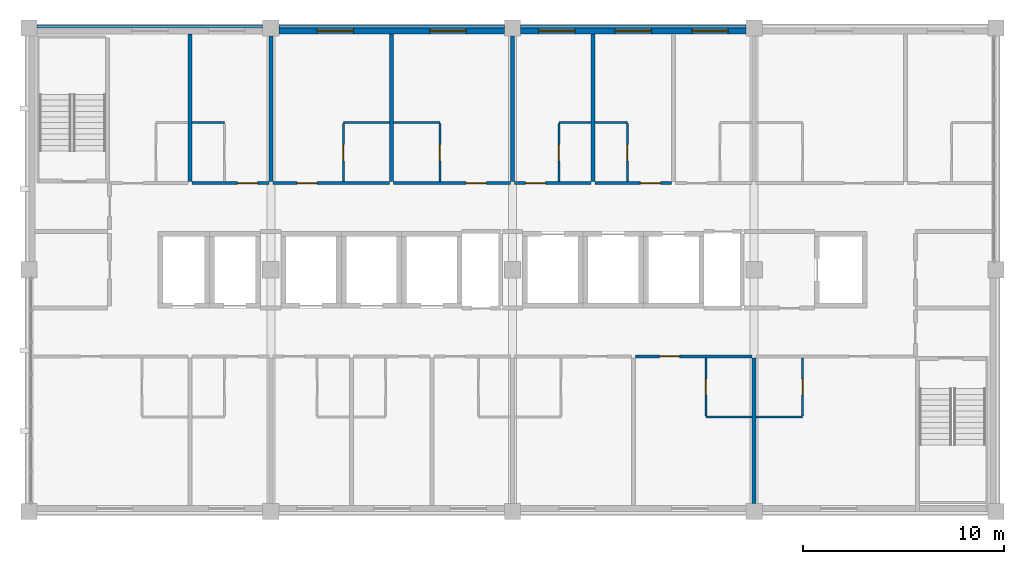
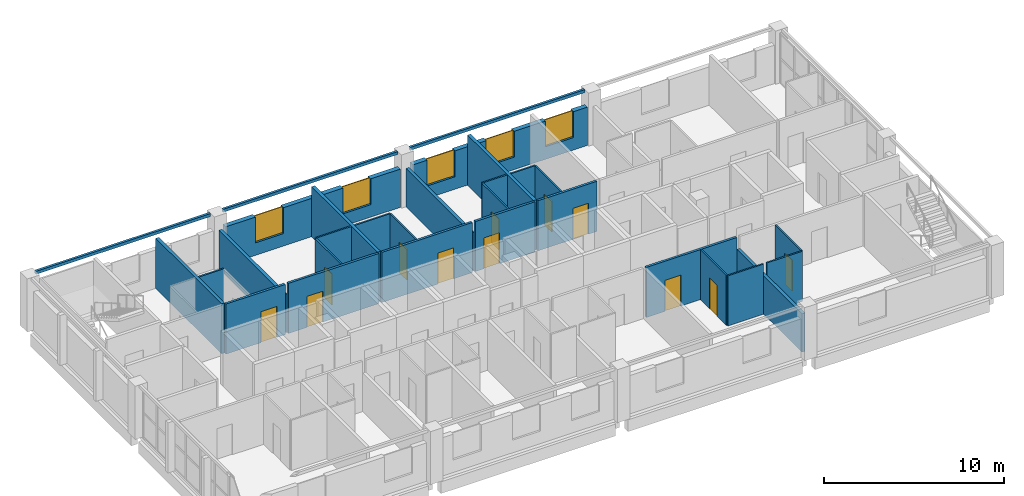
# One storey, part 8 of 11: 30 walls, 12 doors, 5 windows, 17 openings.
"""IFC4 building model written with IfcOpenShell, lengths in metres."""

from ifc_helpers import new_model, si_unit, direction, frame, frame_2d, origin, place, context, subcontext, project, spatial, rectangle, extrude, material, layer, layer_set, type_object, element, fill, save


model = new_model("IFC4")

# Units and contexts
model_context = context("Model", 3, precision=1e-05, world=origin(), true_north=direction((0.0, 1.0)))
body_context = subcontext(model_context, "Body", "Model", "MODEL_VIEW")
ifc_project = project(units=[si_unit("LENGTHUNIT", "METRE"), si_unit("AREAUNIT", "SQUARE_METRE"), si_unit("VOLUMEUNIT", "CUBIC_METRE"), si_unit("PLANEANGLEUNIT", "RADIAN"), si_unit("MASSUNIT", "GRAM", prefix="KILO")], contexts=[model_context])

# Site, building, storey
site_placement = place(None, origin())
site = spatial("IfcSite", under=ifc_project, at=site_placement, CompositionType="ELEMENT")
building_placement = place(site_placement, origin())
building = spatial("IfcBuilding", under=site, at=building_placement, Name="Lilac Gate Convention Centre", CompositionType="ELEMENT")
storey_placement = place(building_placement, frame((0.0, 0.0, 42.60009765625)))
storey = spatial("IfcBuildingStorey", under=building, at=storey_placement, Name="L10", CompositionType="ELEMENT", Elevation=42.60009765625)

# Wall, opening, door
ifc_material_1 = material(Name="Gypsum board on steel stud", Category="steel")
ifc_layer_1 = layer(ifc_material_1, 0.14990234375)
ifc_layer_set_1 = layer_set([ifc_layer_1], Name="Gypsum board on steel stud")
wall_type_1 = type_object("IfcWallType", Name="Corridor wall 150", PredefinedType="PARTITIONING", material=ifc_layer_set_1)
wall_1_placement = place(storey_placement, frame((77.89990234375, 229.699951171875, 0.0), z_axis=(0.0, 0.0, 1.0), x_axis=(-1.0, 0.0, 0.0)))
wall_1 = element("IfcWall", 1, at=wall_1_placement, inside=storey, type_object=wall_type_1, Name="Corridor wall 150 front 1007", PredefinedType="PARTITIONING", context=body_context, shape_type="SweptSolid", body=[
    extrude(rectangle(XDim=5.7998046875, YDim=0.14990234375, at=frame_2d((2.89990234375, 0.0))), origin(), (0.0, 0.0, 1.0), 3.39990234375),
])
opening_1_placement = place(wall_1_placement, frame((3.60009765625, 0.0, 0.0)))
opening_1 = element("IfcOpeningElement", 2, at=opening_1_placement, cuts=wall_1, Name="Opening T10-020", PredefinedType="OPENING", context=body_context, shape_type="SweptSolid", body=[
    extrude(rectangle(XDim=1.0, YDim=2.10009765625, at=frame_2d((0.5, 1.050048828125))), frame((0.0, 0.0849609375, 0.0), z_axis=(0.0, -1.0, 0.0), x_axis=(1.0, 0.0, 0.0)), (0.0, 0.0, 1.0), 0.169921875),
])
ifc_material_2 = material(Name="Timber", Category="wood")
door_type_1 = type_object("IfcDoorType", Name="Guest room entrance door 1000", OperationType="SINGLE_SWING_LEFT", PredefinedType="DOOR", material=ifc_material_2)
door_1_placement = place(opening_1_placement, origin())
door_1 = element("IfcDoor", 3, at=door_1_placement, inside=storey, type_object=door_type_1, Name="Guest room door 1007", OperationType="SINGLE_SWING_LEFT", OverallHeight=2.10009765625, OverallWidth=1.0, PredefinedType="DOOR", context=body_context, shape_type="SweptSolid", body=[
    extrude(rectangle(XDim=1.0, YDim=2.10009765625, at=frame_2d((0.5, 1.050048828125))), frame((0.0, 0.02490234375, 0.0), z_axis=(0.0, -1.0, 0.0), x_axis=(1.0, 0.0, 0.0)), (0.0, 0.0, 1.0), 0.050048828125),
])
fill(opening_1, door_1)

wall_2_placement = place(storey_placement, frame((50.10009765625, 238.300048828125, 0.0), z_axis=(0.0, 0.0, 1.0), x_axis=(1.0, 0.0, 0.0)))
wall_2 = element("IfcWall", 4, at=wall_2_placement, inside=storey, type_object=wall_type_1, Name="Corridor wall 150 front 1010", PredefinedType="PARTITIONING", context=body_context, shape_type="SweptSolid", body=[
    extrude(rectangle(XDim=3.7998046875, YDim=0.14990234375, at=frame_2d((1.89990234375, 0.0))), origin(), (0.0, 0.0, 1.0), 3.39990234375),
])
opening_2_placement = place(wall_2_placement, frame((2.25, 0.0, 0.0)))
opening_2 = element("IfcOpeningElement", 5, at=opening_2_placement, cuts=wall_2, Name="Opening T10-026", PredefinedType="OPENING", context=body_context, shape_type="SweptSolid", body=[
    extrude(rectangle(XDim=1.0, YDim=2.10009765625, at=frame_2d((0.5, 1.050048828125))), frame((0.0, 0.0849609375, 0.0), z_axis=(0.0, -1.0, 0.0), x_axis=(1.0, 0.0, 0.0)), (0.0, 0.0, 1.0), 0.169921875),
])
door_2_placement = place(opening_2_placement, origin())
door_2 = element("IfcDoor", 6, at=door_2_placement, inside=storey, type_object=door_type_1, Name="Guest room door 1010", OperationType="SINGLE_SWING_RIGHT", OverallHeight=2.10009765625, OverallWidth=1.0, PredefinedType="DOOR", context=body_context, shape_type="SweptSolid", body=[
    extrude(rectangle(XDim=1.0, YDim=2.10009765625, at=frame_2d((0.5, 1.050048828125))), frame((0.0, 0.02490234375, 0.0), z_axis=(0.0, -1.0, 0.0), x_axis=(1.0, 0.0, 0.0)), (0.0, 0.0, 1.0), 0.050048828125),
])
fill(opening_2, door_2)

wall_3_placement = place(storey_placement, frame((54.10009765625, 238.300048828125, 0.0), z_axis=(0.0, 0.0, 1.0), x_axis=(1.0, 0.0, 0.0)))
wall_3 = element("IfcWall", 7, at=wall_3_placement, inside=storey, type_object=wall_type_1, Name="Corridor wall 150 front 1011", PredefinedType="PARTITIONING", context=body_context, shape_type="SweptSolid", body=[
    extrude(rectangle(XDim=5.7998046875, YDim=0.14990234375, at=frame_2d((2.89990234375, 0.0))), origin(), (0.0, 0.0, 1.0), 3.39990234375),
])
opening_3_placement = place(wall_3_placement, frame((1.199951171875, 0.0, 0.0)))
opening_3 = element("IfcOpeningElement", 8, at=opening_3_placement, cuts=wall_3, Name="Opening T10-028", PredefinedType="OPENING", context=body_context, shape_type="SweptSolid", body=[
    extrude(rectangle(XDim=1.0, YDim=2.10009765625, at=frame_2d((0.5, 1.050048828125))), frame((0.0, 0.0849609375, 0.0), z_axis=(0.0, -1.0, 0.0), x_axis=(1.0, 0.0, 0.0)), (0.0, 0.0, 1.0), 0.169921875),
])
door_3_placement = place(opening_3_placement, origin())
door_3 = element("IfcDoor", 9, at=door_3_placement, inside=storey, type_object=door_type_1, Name="Guest room door 1011", OperationType="SINGLE_SWING_LEFT", OverallHeight=2.10009765625, OverallWidth=1.0, PredefinedType="DOOR", context=body_context, shape_type="SweptSolid", body=[
    extrude(rectangle(XDim=1.0, YDim=2.10009765625, at=frame_2d((0.5, 1.050048828125))), frame((0.0, 0.02490234375, 0.0), z_axis=(0.0, -1.0, 0.0), x_axis=(1.0, 0.0, 0.0)), (0.0, 0.0, 1.0), 0.050048828125),
])
fill(opening_3, door_3)

wall_4_placement = place(storey_placement, frame((60.10009765625, 238.300048828125, 0.0), z_axis=(0.0, 0.0, 1.0), x_axis=(1.0, 0.0, 0.0)))
wall_4 = element("IfcWall", 10, at=wall_4_placement, inside=storey, type_object=wall_type_1, Name="Corridor wall 150 front 1012", PredefinedType="PARTITIONING", context=body_context, shape_type="SweptSolid", body=[
    extrude(rectangle(XDim=5.7998046875, YDim=0.14990234375, at=frame_2d((2.89990234375, 0.0))), origin(), (0.0, 0.0, 1.0), 3.39990234375),
])
opening_4_placement = place(wall_4_placement, frame((3.60009765625, 0.0, 0.0)))
opening_4 = element("IfcOpeningElement", 11, at=opening_4_placement, cuts=wall_4, Name="Opening T10-030", PredefinedType="OPENING", context=body_context, shape_type="SweptSolid", body=[
    extrude(rectangle(XDim=1.0, YDim=2.10009765625, at=frame_2d((0.5, 1.050048828125))), frame((0.0, 0.0849609375, 0.0), z_axis=(0.0, -1.0, 0.0), x_axis=(1.0, 0.0, 0.0)), (0.0, 0.0, 1.0), 0.169921875),
])
door_4_placement = place(opening_4_placement, origin())
door_4 = element("IfcDoor", 12, at=door_4_placement, inside=storey, type_object=door_type_1, Name="Guest room door 1012", OperationType="SINGLE_SWING_RIGHT", OverallHeight=2.10009765625, OverallWidth=1.0, PredefinedType="DOOR", context=body_context, shape_type="SweptSolid", body=[
    extrude(rectangle(XDim=1.0, YDim=2.10009765625, at=frame_2d((0.5, 1.050048828125))), frame((0.0, 0.02490234375, 0.0), z_axis=(0.0, -1.0, 0.0), x_axis=(1.0, 0.0, 0.0)), (0.0, 0.0, 1.0), 0.050048828125),
])
fill(opening_4, door_4)

wall_5_placement = place(storey_placement, frame((66.10009765625, 238.300048828125, 0.0), z_axis=(0.0, 0.0, 1.0), x_axis=(1.0, 0.0, 0.0)))
wall_5 = element("IfcWall", 13, at=wall_5_placement, inside=storey, type_object=wall_type_1, Name="Corridor wall 150 front 1013", PredefinedType="PARTITIONING", context=body_context, shape_type="SweptSolid", body=[
    extrude(rectangle(XDim=3.7998046875, YDim=0.14990234375, at=frame_2d((1.89990234375, 0.0))), origin(), (0.0, 0.0, 1.0), 3.39990234375),
])
opening_5_placement = place(wall_5_placement, frame((0.550048828125, 0.0, 0.0)))
opening_5 = element("IfcOpeningElement", 14, at=opening_5_placement, cuts=wall_5, Name="Opening T10-032", PredefinedType="OPENING", context=body_context, shape_type="SweptSolid", body=[
    extrude(rectangle(XDim=1.0, YDim=2.10009765625, at=frame_2d((0.5, 1.050048828125))), frame((0.0, 0.0849609375, 0.0), z_axis=(0.0, -1.0, 0.0), x_axis=(1.0, 0.0, 0.0)), (0.0, 0.0, 1.0), 0.169921875),
])
door_5_placement = place(opening_5_placement, origin())
door_5 = element("IfcDoor", 15, at=door_5_placement, inside=storey, type_object=door_type_1, Name="Guest room door 1013", OperationType="SINGLE_SWING_LEFT", OverallHeight=2.10009765625, OverallWidth=1.0, PredefinedType="DOOR", context=body_context, shape_type="SweptSolid", body=[
    extrude(rectangle(XDim=1.0, YDim=2.10009765625, at=frame_2d((0.5, 1.050048828125))), frame((0.0, 0.02490234375, 0.0), z_axis=(0.0, -1.0, 0.0), x_axis=(1.0, 0.0, 0.0)), (0.0, 0.0, 1.0), 0.050048828125),
])
fill(opening_5, door_5)

wall_6_placement = place(storey_placement, frame((70.10009765625, 238.300048828125, 0.0), z_axis=(0.0, 0.0, 1.0), x_axis=(1.0, 0.0, 0.0)))
wall_6 = element("IfcWall", 16, at=wall_6_placement, inside=storey, type_object=wall_type_1, Name="Corridor wall 150 front 1014", PredefinedType="PARTITIONING", context=body_context, shape_type="SweptSolid", body=[
    extrude(rectangle(XDim=3.7998046875, YDim=0.14990234375, at=frame_2d((1.89990234375, 0.0))), origin(), (0.0, 0.0, 1.0), 3.39990234375),
])
opening_6_placement = place(wall_6_placement, frame((2.25, 0.0, 0.0)))
opening_6 = element("IfcOpeningElement", 17, at=opening_6_placement, cuts=wall_6, Name="Opening T10-034", PredefinedType="OPENING", context=body_context, shape_type="SweptSolid", body=[
    extrude(rectangle(XDim=1.0, YDim=2.10009765625, at=frame_2d((0.5, 1.050048828125))), frame((0.0, 0.0849609375, 0.0), z_axis=(0.0, -1.0, 0.0), x_axis=(1.0, 0.0, 0.0)), (0.0, 0.0, 1.0), 0.169921875),
])
door_6_placement = place(opening_6_placement, origin())
door_6 = element("IfcDoor", 18, at=door_6_placement, inside=storey, type_object=door_type_1, Name="Guest room door 1014", OperationType="SINGLE_SWING_LEFT", OverallHeight=2.10009765625, OverallWidth=1.0, PredefinedType="DOOR", context=body_context, shape_type="SweptSolid", body=[
    extrude(rectangle(XDim=1.0, YDim=2.10009765625, at=frame_2d((0.5, 1.050048828125))), frame((0.0, 0.02490234375, 0.0), z_axis=(0.0, -1.0, 0.0), x_axis=(1.0, 0.0, 0.0)), (0.0, 0.0, 1.0), 0.050048828125),
])
fill(opening_6, door_6)

# Wall
ifc_layer_2 = layer(ifc_material_1, 0.10009765625)
ifc_layer_set_2 = layer_set([ifc_layer_2], Name="Gypsum board on steel stud")
wall_type_2 = type_object("IfcWallType", Name="En-suite wall 100", PredefinedType="PARTITIONING", material=ifc_layer_set_2)
wall_7_placement = place(storey_placement, frame((75.60009765625, 226.699951171875, 0.0), z_axis=(0.0, 0.0, 1.0), x_axis=(1.0, 0.0, 0.0)))
element("IfcWall", 19, at=wall_7_placement, inside=storey, type_object=wall_type_2, Name="En-suite wall 100 bath 1007", PredefinedType="PARTITIONING", context=body_context, shape_type="SweptSolid", body=[
    extrude(rectangle(XDim=2.2998046875, YDim=0.10009765625, at=frame_2d((1.14990234375, 0.0))), origin(), (0.0, 0.0, 1.0), 3.39990234375),
])

# Wall, opening, door
wall_8_placement = place(storey_placement, frame((75.60009765625, 226.75, 0.0), z_axis=(0.0, 0.0, 1.0), x_axis=(0.0, 1.0, 0.0)))
wall_8 = element("IfcWall", 20, at=wall_8_placement, inside=storey, type_object=wall_type_2, Name="En-suite wall 100 bath side 1007", PredefinedType="PARTITIONING", context=body_context, shape_type="SweptSolid", body=[
    extrude(rectangle(XDim=2.875, YDim=0.10009765625, at=frame_2d((1.4375, 0.0))), origin(), (0.0, 0.0, 1.0), 3.39990234375),
])
opening_7_placement = place(wall_8_placement, frame((1.03759765625, 0.0, 0.0)))
opening_7 = element("IfcOpeningElement", 21, at=opening_7_placement, cuts=wall_8, Name="Opening T10-021", PredefinedType="OPENING", context=body_context, shape_type="SweptSolid", body=[
    extrude(rectangle(XDim=0.800048828125, YDim=2.10009765625, at=frame_2d((0.39990234375, 1.050048828125))), frame((0.0, 0.06005859375, 0.0), z_axis=(0.0, -1.0, 0.0), x_axis=(1.0, 0.0, 0.0)), (0.0, 0.0, 1.0), 0.1201171875),
])
door_type_2 = type_object("IfcDoorType", Name="En-suite door 800", OperationType="SINGLE_SWING_LEFT", PredefinedType="DOOR", material=ifc_material_2)
door_7_placement = place(opening_7_placement, origin())
door_7 = element("IfcDoor", 22, at=door_7_placement, inside=storey, type_object=door_type_2, Name="En-suite door 1007", OperationType="SINGLE_SWING_RIGHT", OverallHeight=2.10009765625, OverallWidth=0.800048828125, PredefinedType="DOOR", context=body_context, shape_type="SweptSolid", body=[
    extrude(rectangle(XDim=0.800048828125, YDim=2.10009765625, at=frame_2d((0.39990234375, 1.050048828125))), frame((0.0, 0.02490234375, 0.0), z_axis=(0.0, -1.0, 0.0), x_axis=(1.0, 0.0, 0.0)), (0.0, 0.0, 1.0), 0.050048828125),
])
fill(opening_7, door_7)

# Wall
wall_9_placement = place(storey_placement, frame((78.10009765625, 226.699951171875, 0.0), z_axis=(0.0, 0.0, 1.0), x_axis=(1.0, 0.0, 0.0)))
element("IfcWall", 23, at=wall_9_placement, inside=storey, type_object=wall_type_2, Name="En-suite wall 100 bath 1008", PredefinedType="PARTITIONING", context=body_context, shape_type="SweptSolid", body=[
    extrude(rectangle(XDim=2.2998046875, YDim=0.10009765625, at=frame_2d((1.14990234375, 0.0))), origin(), (0.0, 0.0, 1.0), 3.39990234375),
])

# Wall, opening, door
wall_10_placement = place(storey_placement, frame((80.39990234375, 229.625, 0.0), z_axis=(0.0, 0.0, 1.0), x_axis=(0.0, -1.0, 0.0)))
wall_10 = element("IfcWall", 24, at=wall_10_placement, inside=storey, type_object=wall_type_2, Name="En-suite wall 100 bath side 1008", PredefinedType="PARTITIONING", context=body_context, shape_type="SweptSolid", body=[
    extrude(rectangle(XDim=2.875, YDim=0.10009765625, at=frame_2d((1.4375, 0.0))), origin(), (0.0, 0.0, 1.0), 3.39990234375),
])
opening_8_placement = place(wall_10_placement, frame((1.03759765625, 0.0, 0.0)))
opening_8 = element("IfcOpeningElement", 25, at=opening_8_placement, cuts=wall_10, Name="Opening T10-023", PredefinedType="OPENING", context=body_context, shape_type="SweptSolid", body=[
    extrude(rectangle(XDim=0.800048828125, YDim=2.10009765625, at=frame_2d((0.39990234375, 1.050048828125))), frame((0.0, 0.06005859375, 0.0), z_axis=(0.0, -1.0, 0.0), x_axis=(1.0, 0.0, 0.0)), (0.0, 0.0, 1.0), 0.1201171875),
])
door_8_placement = place(opening_8_placement, origin())
door_8 = element("IfcDoor", 26, at=door_8_placement, inside=storey, type_object=door_type_2, Name="En-suite door 1008", OperationType="SINGLE_SWING_LEFT", OverallHeight=2.10009765625, OverallWidth=0.800048828125, PredefinedType="DOOR", context=body_context, shape_type="SweptSolid", body=[
    extrude(rectangle(XDim=0.800048828125, YDim=2.10009765625, at=frame_2d((0.39990234375, 1.050048828125))), frame((0.0, 0.02490234375, 0.0), z_axis=(0.0, -1.0, 0.0), x_axis=(1.0, 0.0, 0.0)), (0.0, 0.0, 1.0), 0.050048828125),
])
fill(opening_8, door_8)

# Walls
wall_11_placement = place(storey_placement, frame((50.10009765625, 241.300048828125, 0.0), z_axis=(0.0, 0.0, 1.0), x_axis=(1.0, 0.0, 0.0)))
element("IfcWall", 27, at=wall_11_placement, inside=storey, type_object=wall_type_2, Name="En-suite wall 100 bath 1010", PredefinedType="PARTITIONING", context=body_context, shape_type="SweptSolid", body=[
    extrude(rectangle(XDim=1.599853515625, YDim=0.10009765625, at=frame_2d((0.7998046875, 0.0))), origin(), (0.0, 0.0, 1.0), 3.39990234375),
])
wall_12_placement = place(storey_placement, frame((57.60009765625, 241.300048828125, 0.0), z_axis=(0.0, 0.0, 1.0), x_axis=(1.0, 0.0, 0.0)))
element("IfcWall", 28, at=wall_12_placement, inside=storey, type_object=wall_type_2, Name="En-suite wall 100 bath 1011", PredefinedType="PARTITIONING", context=body_context, shape_type="SweptSolid", body=[
    extrude(rectangle(XDim=2.2998046875, YDim=0.10009765625, at=frame_2d((1.14990234375, 0.0))), origin(), (0.0, 0.0, 1.0), 3.39990234375),
])

# Wall, opening, door
wall_13_placement = place(storey_placement, frame((57.60009765625, 238.375, 0.0), z_axis=(0.0, 0.0, 1.0), x_axis=(0.0, 1.0, 0.0)))
wall_13 = element("IfcWall", 29, at=wall_13_placement, inside=storey, type_object=wall_type_2, Name="En-suite wall 100 bath side 1011", PredefinedType="PARTITIONING", context=body_context, shape_type="SweptSolid", body=[
    extrude(rectangle(XDim=2.875, YDim=0.10009765625, at=frame_2d((1.4375, 0.0))), origin(), (0.0, 0.0, 1.0), 3.39990234375),
])
opening_9_placement = place(wall_13_placement, frame((1.03759765625, 0.0, 0.0)))
opening_9 = element("IfcOpeningElement", 30, at=opening_9_placement, cuts=wall_13, Name="Opening T10-029", PredefinedType="OPENING", context=body_context, shape_type="SweptSolid", body=[
    extrude(rectangle(XDim=0.800048828125, YDim=2.10009765625, at=frame_2d((0.39990234375, 1.050048828125))), frame((0.0, 0.06005859375, 0.0), z_axis=(0.0, -1.0, 0.0), x_axis=(1.0, 0.0, 0.0)), (0.0, 0.0, 1.0), 0.1201171875),
])
door_9_placement = place(opening_9_placement, origin())
door_9 = element("IfcDoor", 31, at=door_9_placement, inside=storey, type_object=door_type_2, Name="En-suite door 1011", OperationType="SINGLE_SWING_LEFT", OverallHeight=2.10009765625, OverallWidth=0.800048828125, PredefinedType="DOOR", context=body_context, shape_type="SweptSolid", body=[
    extrude(rectangle(XDim=0.800048828125, YDim=2.10009765625, at=frame_2d((0.39990234375, 1.050048828125))), frame((0.0, 0.02490234375, 0.0), z_axis=(0.0, -1.0, 0.0), x_axis=(1.0, 0.0, 0.0)), (0.0, 0.0, 1.0), 0.050048828125),
])
fill(opening_9, door_9)

# Wall
wall_14_placement = place(storey_placement, frame((60.10009765625, 241.300048828125, 0.0), z_axis=(0.0, 0.0, 1.0), x_axis=(1.0, 0.0, 0.0)))
element("IfcWall", 32, at=wall_14_placement, inside=storey, type_object=wall_type_2, Name="En-suite wall 100 bath 1012", PredefinedType="PARTITIONING", context=body_context, shape_type="SweptSolid", body=[
    extrude(rectangle(XDim=2.2998046875, YDim=0.10009765625, at=frame_2d((1.14990234375, 0.0))), origin(), (0.0, 0.0, 1.0), 3.39990234375),
])

# Wall, opening, door
wall_15_placement = place(storey_placement, frame((62.39990234375, 241.25, 0.0), z_axis=(0.0, 0.0, 1.0), x_axis=(0.0, -1.0, 0.0)))
wall_15 = element("IfcWall", 33, at=wall_15_placement, inside=storey, type_object=wall_type_2, Name="En-suite wall 100 bath side 1012", PredefinedType="PARTITIONING", context=body_context, shape_type="SweptSolid", body=[
    extrude(rectangle(XDim=2.875, YDim=0.10009765625, at=frame_2d((1.4375, 0.0))), origin(), (0.0, 0.0, 1.0), 3.39990234375),
])
opening_10_placement = place(wall_15_placement, frame((1.03759765625, 0.0, 0.0)))
opening_10 = element("IfcOpeningElement", 34, at=opening_10_placement, cuts=wall_15, Name="Opening T10-031", PredefinedType="OPENING", context=body_context, shape_type="SweptSolid", body=[
    extrude(rectangle(XDim=0.800048828125, YDim=2.10009765625, at=frame_2d((0.39990234375, 1.050048828125))), frame((0.0, 0.06005859375, 0.0), z_axis=(0.0, -1.0, 0.0), x_axis=(1.0, 0.0, 0.0)), (0.0, 0.0, 1.0), 0.1201171875),
])
door_10_placement = place(opening_10_placement, origin())
door_10 = element("IfcDoor", 35, at=door_10_placement, inside=storey, type_object=door_type_2, Name="En-suite door 1012", OperationType="SINGLE_SWING_RIGHT", OverallHeight=2.10009765625, OverallWidth=0.800048828125, PredefinedType="DOOR", context=body_context, shape_type="SweptSolid", body=[
    extrude(rectangle(XDim=0.800048828125, YDim=2.10009765625, at=frame_2d((0.39990234375, 1.050048828125))), frame((0.0, 0.02490234375, 0.0), z_axis=(0.0, -1.0, 0.0), x_axis=(1.0, 0.0, 0.0)), (0.0, 0.0, 1.0), 0.050048828125),
])
fill(opening_10, door_10)

# Wall
wall_16_placement = place(storey_placement, frame((68.300048828125, 241.300048828125, 0.0), z_axis=(0.0, 0.0, 1.0), x_axis=(1.0, 0.0, 0.0)))
element("IfcWall", 36, at=wall_16_placement, inside=storey, type_object=wall_type_2, Name="En-suite wall 100 bath 1013", PredefinedType="PARTITIONING", context=body_context, shape_type="SweptSolid", body=[
    extrude(rectangle(XDim=1.599853515625, YDim=0.10009765625, at=frame_2d((0.7998046875, 0.0))), origin(), (0.0, 0.0, 1.0), 3.39990234375),
])

# Wall, opening, door
wall_17_placement = place(storey_placement, frame((68.300048828125, 238.375, 0.0), z_axis=(0.0, 0.0, 1.0), x_axis=(0.0, 1.0, 0.0)))
wall_17 = element("IfcWall", 37, at=wall_17_placement, inside=storey, type_object=wall_type_2, Name="En-suite wall 100 bath side 1013", PredefinedType="PARTITIONING", context=body_context, shape_type="SweptSolid", body=[
    extrude(rectangle(XDim=2.875, YDim=0.10009765625, at=frame_2d((1.4375, 0.0))), origin(), (0.0, 0.0, 1.0), 3.39990234375),
])
opening_11_placement = place(wall_17_placement, frame((1.03759765625, 0.0, 0.0)))
opening_11 = element("IfcOpeningElement", 38, at=opening_11_placement, cuts=wall_17, Name="Opening T10-033", PredefinedType="OPENING", context=body_context, shape_type="SweptSolid", body=[
    extrude(rectangle(XDim=0.800048828125, YDim=2.10009765625, at=frame_2d((0.39990234375, 1.050048828125))), frame((0.0, 0.06005859375, 0.0), z_axis=(0.0, -1.0, 0.0), x_axis=(1.0, 0.0, 0.0)), (0.0, 0.0, 1.0), 0.1201171875),
])
door_11_placement = place(opening_11_placement, origin())
door_11 = element("IfcDoor", 39, at=door_11_placement, inside=storey, type_object=door_type_2, Name="En-suite door 1013", OperationType="SINGLE_SWING_LEFT", OverallHeight=2.10009765625, OverallWidth=0.800048828125, PredefinedType="DOOR", context=body_context, shape_type="SweptSolid", body=[
    extrude(rectangle(XDim=0.800048828125, YDim=2.10009765625, at=frame_2d((0.39990234375, 1.050048828125))), frame((0.0, 0.02490234375, 0.0), z_axis=(0.0, -1.0, 0.0), x_axis=(1.0, 0.0, 0.0)), (0.0, 0.0, 1.0), 0.050048828125),
])
fill(opening_11, door_11)

# Wall
wall_18_placement = place(storey_placement, frame((70.10009765625, 241.300048828125, 0.0), z_axis=(0.0, 0.0, 1.0), x_axis=(1.0, 0.0, 0.0)))
element("IfcWall", 40, at=wall_18_placement, inside=storey, type_object=wall_type_2, Name="En-suite wall 100 bath 1014", PredefinedType="PARTITIONING", context=body_context, shape_type="SweptSolid", body=[
    extrude(rectangle(XDim=1.599853515625, YDim=0.10009765625, at=frame_2d((0.7998046875, 0.0))), origin(), (0.0, 0.0, 1.0), 3.39990234375),
])

# Wall, opening, door
wall_19_placement = place(storey_placement, frame((71.699951171875, 241.25, 0.0), z_axis=(0.0, 0.0, 1.0), x_axis=(0.0, -1.0, 0.0)))
wall_19 = element("IfcWall", 41, at=wall_19_placement, inside=storey, type_object=wall_type_2, Name="En-suite wall 100 bath side 1014", PredefinedType="PARTITIONING", context=body_context, shape_type="SweptSolid", body=[
    extrude(rectangle(XDim=2.875, YDim=0.10009765625, at=frame_2d((1.4375, 0.0))), origin(), (0.0, 0.0, 1.0), 3.39990234375),
])
opening_12_placement = place(wall_19_placement, frame((1.03759765625, 0.0, 0.0)))
opening_12 = element("IfcOpeningElement", 42, at=opening_12_placement, cuts=wall_19, Name="Opening T10-035", PredefinedType="OPENING", context=body_context, shape_type="SweptSolid", body=[
    extrude(rectangle(XDim=0.800048828125, YDim=2.10009765625, at=frame_2d((0.39990234375, 1.050048828125))), frame((0.0, 0.06005859375, 0.0), z_axis=(0.0, -1.0, 0.0), x_axis=(1.0, 0.0, 0.0)), (0.0, 0.0, 1.0), 0.1201171875),
])
door_12_placement = place(opening_12_placement, origin())
door_12 = element("IfcDoor", 43, at=door_12_placement, inside=storey, type_object=door_type_2, Name="En-suite door 1014", OperationType="SINGLE_SWING_RIGHT", OverallHeight=2.10009765625, OverallWidth=0.800048828125, PredefinedType="DOOR", context=body_context, shape_type="SweptSolid", body=[
    extrude(rectangle(XDim=0.800048828125, YDim=2.10009765625, at=frame_2d((0.39990234375, 1.050048828125))), frame((0.0, 0.02490234375, 0.0), z_axis=(0.0, -1.0, 0.0), x_axis=(1.0, 0.0, 0.0)), (0.0, 0.0, 1.0), 0.050048828125),
])
fill(opening_12, door_12)

# Walls
ifc_layer_3 = layer(ifc_material_1, 0.199951171875)
ifc_layer_set_3 = layer_set([ifc_layer_3], Name="Gypsum board on steel stud")
wall_type_3 = type_object("IfcWallType", Name="Guest room party wall 200", PredefinedType="PARTITIONING", material=ifc_layer_set_3)
wall_20_placement = place(storey_placement, frame((78.0, 222.39990234375, 0.0), z_axis=(0.0, 0.0, 1.0), x_axis=(0.0, 1.0, 0.0)))
element("IfcWall", 44, at=wall_20_placement, inside=storey, type_object=wall_type_3, Name="Guest room party wall 200 party 78.0", PredefinedType="PARTITIONING", context=body_context, shape_type="SweptSolid", body=[
    extrude(rectangle(XDim=7.22509765625, YDim=0.199951171875, at=frame_2d((3.612548828125, 0.0))), origin(), (0.0, 0.0, 1.0), 2.599853515625),
])
wall_21_placement = place(storey_placement, frame((50.0, 245.7001953125, 0.0), z_axis=(0.0, 0.0, 1.0), x_axis=(0.0, -1.0, 0.0)))
element("IfcWall", 45, at=wall_21_placement, inside=storey, type_object=wall_type_3, Name="Guest room party wall 200 party 50.0", PredefinedType="PARTITIONING", context=body_context, shape_type="SweptSolid", body=[
    extrude(rectangle(XDim=7.3251953125, YDim=0.199951171875, at=frame_2d((3.66259765625, 0.0))), origin(), (0.0, 0.0, 1.0), 3.39990234375),
])
wall_22_placement = place(storey_placement, frame((54.0, 245.60009765625, 0.0), z_axis=(0.0, 0.0, 1.0), x_axis=(0.0, -1.0, 0.0)))
element("IfcWall", 46, at=wall_22_placement, inside=storey, type_object=wall_type_3, Name="Guest room party wall 200 party 54.0", PredefinedType="PARTITIONING", context=body_context, shape_type="SweptSolid", body=[
    extrude(rectangle(XDim=7.22509765625, YDim=0.199951171875, at=frame_2d((3.612548828125, 0.0))), origin(), (0.0, 0.0, 1.0), 2.599853515625),
])
wall_23_placement = place(storey_placement, frame((60.0, 245.7001953125, 0.0), z_axis=(0.0, 0.0, 1.0), x_axis=(0.0, -1.0, 0.0)))
element("IfcWall", 47, at=wall_23_placement, inside=storey, type_object=wall_type_3, Name="Guest room party wall 200 party 60.0", PredefinedType="PARTITIONING", context=body_context, shape_type="SweptSolid", body=[
    extrude(rectangle(XDim=7.3251953125, YDim=0.199951171875, at=frame_2d((3.66259765625, 0.0))), origin(), (0.0, 0.0, 1.0), 3.39990234375),
])
wall_24_placement = place(storey_placement, frame((66.0, 245.60009765625, 0.0), z_axis=(0.0, 0.0, 1.0), x_axis=(0.0, -1.0, 0.0)))
element("IfcWall", 48, at=wall_24_placement, inside=storey, type_object=wall_type_3, Name="Guest room party wall 200 party 66.0", PredefinedType="PARTITIONING", context=body_context, shape_type="SweptSolid", body=[
    extrude(rectangle(XDim=7.22509765625, YDim=0.199951171875, at=frame_2d((3.612548828125, 0.0))), origin(), (0.0, 0.0, 1.0), 2.599853515625),
])
wall_25_placement = place(storey_placement, frame((70.0, 245.7001953125, 0.0), z_axis=(0.0, 0.0, 1.0), x_axis=(0.0, -1.0, 0.0)))
element("IfcWall", 49, at=wall_25_placement, inside=storey, type_object=wall_type_3, Name="Guest room party wall 200 party 70.0", PredefinedType="PARTITIONING", context=body_context, shape_type="SweptSolid", body=[
    extrude(rectangle(XDim=7.3251953125, YDim=0.199951171875, at=frame_2d((3.66259765625, 0.0))), origin(), (0.0, 0.0, 1.0), 3.39990234375),
])
ifc_material_3 = material(Name="Concrete C40 precast", Category="concrete")
ifc_layer_4 = layer(ifc_material_3, 0.1298828125)
ifc_material_4 = material(Name="Teal glazed cladding")
ifc_layer_5 = layer(ifc_material_4, 0.02001953125)
ifc_layer_set_4 = layer_set([ifc_layer_4, ifc_layer_5], Name="Concrete C40 precast, Teal glazed cladding")
wall_type_4 = type_object("IfcWallType", Name="Precast band teal 150", PredefinedType="STANDARD", material=ifc_layer_set_4)
for number, where, z_axis, x_axis, name in (
    (50, (77.60009765625, 246.074951171875, 3.39990234375), (0.0, 0.0, 1.0), (-1.0, 0.0, 0.0), "Precast band N L10 2"),
    (51, (65.60009765625, 246.074951171875, 3.39990234375), (0.0, 0.0, 1.0), (-1.0, 0.0, 0.0), "Precast band N L10 3"),
    (52, (53.60009765625, 246.074951171875, 3.39990234375), (0.0, 0.0, 1.0), (-1.0, 0.0, 0.0), "Precast band N L10 4"),
):
    element("IfcWall", number, at=place(storey_placement, frame(where, z_axis=z_axis, x_axis=x_axis)), inside=storey, type_object=wall_type_4, Name=name, PredefinedType="STANDARD", context=body_context, shape_type="SweptSolid", body=[
        extrude(rectangle(XDim=11.2001953125, YDim=0.14990234375, at=frame_2d((5.60009765625, 0.0))), origin(), (0.0, 0.0, 1.0), 0.199951171875),
    ])

# Wall, openings, windows
ifc_material_5 = material(Name="Ochre mineral render")
ifc_layer_6 = layer(ifc_material_5, 0.02001953125)
ifc_layer_7 = layer(ifc_material_3, 0.06005859375)
ifc_material_6 = material(Name="Ventilated air cavity")
ifc_layer_8 = layer(ifc_material_6, 0.030029296875)
ifc_material_7 = material(Name="Mineral wool insulation")
ifc_layer_9 = layer(ifc_material_7, 0.1201171875)
ifc_material_8 = material(Name="Steel stud Q345 and gypsum lining", Category="steel")
ifc_layer_10 = layer(ifc_material_8, 0.070068359375)
ifc_layer_set_5 = layer_set([ifc_layer_6, ifc_layer_7, ifc_layer_8, ifc_layer_9, ifc_layer_10], Name="Ochre mineral render, Concrete C40 precast, Ventilated air cavity, Mineral wool insulation, Steel stud Q345 and gypsum lining")
wall_type_5 = type_object("IfcWallType", Name="Precast panel wall ochre 300", PredefinedType="STANDARD", material=ifc_layer_set_5)
wall_26_placement = place(storey_placement, frame((77.60009765625, 245.85009765625, 0.0), z_axis=(0.0, 0.0, 1.0), x_axis=(-1.0, 0.0, 0.0)))
wall_26 = element("IfcWall", 53, at=wall_26_placement, inside=storey, type_object=wall_type_5, Name="External wall N L10 2", PredefinedType="STANDARD", context=body_context, shape_type="SweptSolid", body=[
    extrude(rectangle(XDim=11.2001953125, YDim=0.300048828125, at=frame_2d((5.60009765625, 0.0))), origin(), (0.0, 0.0, 1.0), 2.599853515625),
])
opening_13_placement = place(wall_26_placement, frame((8.5, 0.0, 0.85009765625)))
opening_13 = element("IfcOpeningElement", 54, at=opening_13_placement, cuts=wall_26, Name="Opening W1", PredefinedType="OPENING", context=body_context, shape_type="SweptSolid", body=[
    extrude(rectangle(XDim=1.800048828125, YDim=1.75, at=frame_2d((0.89990234375, 0.875))), frame((0.0, 0.159912109375, 0.0), z_axis=(0.0, -1.0, 0.0), x_axis=(1.0, 0.0, 0.0)), (0.0, 0.0, 1.0), 0.320068359375),
])
opening_14_placement = place(wall_26_placement, frame((4.699951171875, 0.0, 0.85009765625)))
opening_14 = element("IfcOpeningElement", 55, at=opening_14_placement, cuts=wall_26, Name="Opening W1", PredefinedType="OPENING", context=body_context, shape_type="SweptSolid", body=[
    extrude(rectangle(XDim=1.800048828125, YDim=1.75, at=frame_2d((0.89990234375, 0.875))), frame((0.0, 0.159912109375, 0.0), z_axis=(0.0, -1.0, 0.0), x_axis=(1.0, 0.0, 0.0)), (0.0, 0.0, 1.0), 0.320068359375),
])
opening_15_placement = place(wall_26_placement, frame((0.89990234375, 0.0, 0.85009765625)))
opening_15 = element("IfcOpeningElement", 56, at=opening_15_placement, cuts=wall_26, Name="Opening W1", PredefinedType="OPENING", context=body_context, shape_type="SweptSolid", body=[
    extrude(rectangle(XDim=1.800048828125, YDim=1.75, at=frame_2d((0.89990234375, 0.875))), frame((0.0, 0.159912109375, 0.0), z_axis=(0.0, -1.0, 0.0), x_axis=(1.0, 0.0, 0.0)), (0.0, 0.0, 1.0), 0.320068359375),
])
ifc_material_9 = material(Name="Aluminium framed double glazing", Category="aluminium")
window_type = type_object("IfcWindowType", Name="Guest room window 1800 x 1750", PartitioningType="DOUBLE_PANEL_VERTICAL", PredefinedType="WINDOW", material=ifc_material_9)
window_1_placement = place(opening_13_placement, origin())
window_1 = element("IfcWindow", 57, at=window_1_placement, inside=storey, type_object=window_type, Name="Window Guest N L10", OverallHeight=1.75, OverallWidth=1.800048828125, PartitioningType="SINGLE_PANEL", PredefinedType="WINDOW", context=body_context, shape_type="SweptSolid", body=[
    extrude(rectangle(XDim=1.800048828125, YDim=1.75, at=frame_2d((0.89990234375, 0.875))), frame((0.0, 0.030029296875, 0.0), z_axis=(0.0, -1.0, 0.0), x_axis=(1.0, 0.0, 0.0)), (0.0, 0.0, 1.0), 0.06005859375),
])
fill(opening_13, window_1)
window_2_placement = place(opening_14_placement, origin())
window_2 = element("IfcWindow", 58, at=window_2_placement, inside=storey, type_object=window_type, Name="Window Guest N L10", OverallHeight=1.75, OverallWidth=1.800048828125, PartitioningType="SINGLE_PANEL", PredefinedType="WINDOW", context=body_context, shape_type="SweptSolid", body=[
    extrude(rectangle(XDim=1.800048828125, YDim=1.75, at=frame_2d((0.89990234375, 0.875))), frame((0.0, 0.030029296875, 0.0), z_axis=(0.0, -1.0, 0.0), x_axis=(1.0, 0.0, 0.0)), (0.0, 0.0, 1.0), 0.06005859375),
])
fill(opening_14, window_2)
window_3_placement = place(opening_15_placement, origin())
window_3 = element("IfcWindow", 59, at=window_3_placement, inside=storey, type_object=window_type, Name="Window Guest N L10", OverallHeight=1.75, OverallWidth=1.800048828125, PartitioningType="SINGLE_PANEL", PredefinedType="WINDOW", context=body_context, shape_type="SweptSolid", body=[
    extrude(rectangle(XDim=1.800048828125, YDim=1.75, at=frame_2d((0.89990234375, 0.875))), frame((0.0, 0.030029296875, 0.0), z_axis=(0.0, -1.0, 0.0), x_axis=(1.0, 0.0, 0.0)), (0.0, 0.0, 1.0), 0.06005859375),
])
fill(opening_15, window_3)

wall_27_placement = place(storey_placement, frame((65.60009765625, 245.85009765625, 0.0), z_axis=(0.0, 0.0, 1.0), x_axis=(-1.0, 0.0, 0.0)))
wall_27 = element("IfcWall", 60, at=wall_27_placement, inside=storey, type_object=wall_type_5, Name="External wall N L10 3", PredefinedType="STANDARD", context=body_context, shape_type="SweptSolid", body=[
    extrude(rectangle(XDim=11.2001953125, YDim=0.300048828125, at=frame_2d((5.60009765625, 0.0))), origin(), (0.0, 0.0, 1.0), 2.599853515625),
])
opening_16_placement = place(wall_27_placement, frame((7.5, 0.0, 0.85009765625)))
opening_16 = element("IfcOpeningElement", 61, at=opening_16_placement, cuts=wall_27, Name="Opening W1", PredefinedType="OPENING", context=body_context, shape_type="SweptSolid", body=[
    extrude(rectangle(XDim=1.800048828125, YDim=1.75, at=frame_2d((0.89990234375, 0.875))), frame((0.0, 0.159912109375, 0.0), z_axis=(0.0, -1.0, 0.0), x_axis=(1.0, 0.0, 0.0)), (0.0, 0.0, 1.0), 0.320068359375),
])
opening_17_placement = place(wall_27_placement, frame((1.89990234375, 0.0, 0.85009765625)))
opening_17 = element("IfcOpeningElement", 62, at=opening_17_placement, cuts=wall_27, Name="Opening W1", PredefinedType="OPENING", context=body_context, shape_type="SweptSolid", body=[
    extrude(rectangle(XDim=1.800048828125, YDim=1.75, at=frame_2d((0.89990234375, 0.875))), frame((0.0, 0.159912109375, 0.0), z_axis=(0.0, -1.0, 0.0), x_axis=(1.0, 0.0, 0.0)), (0.0, 0.0, 1.0), 0.320068359375),
])
window_4_placement = place(opening_16_placement, origin())
window_4 = element("IfcWindow", 63, at=window_4_placement, inside=storey, type_object=window_type, Name="Window Guest N L10", OverallHeight=1.75, OverallWidth=1.800048828125, PartitioningType="SINGLE_PANEL", PredefinedType="WINDOW", context=body_context, shape_type="SweptSolid", body=[
    extrude(rectangle(XDim=1.800048828125, YDim=1.75, at=frame_2d((0.89990234375, 0.875))), frame((0.0, 0.030029296875, 0.0), z_axis=(0.0, -1.0, 0.0), x_axis=(1.0, 0.0, 0.0)), (0.0, 0.0, 1.0), 0.06005859375),
])
fill(opening_16, window_4)
window_5_placement = place(opening_17_placement, origin())
window_5 = element("IfcWindow", 64, at=window_5_placement, inside=storey, type_object=window_type, Name="Window Guest N L10", OverallHeight=1.75, OverallWidth=1.800048828125, PartitioningType="SINGLE_PANEL", PredefinedType="WINDOW", context=body_context, shape_type="SweptSolid", body=[
    extrude(rectangle(XDim=1.800048828125, YDim=1.75, at=frame_2d((0.89990234375, 0.875))), frame((0.0, 0.030029296875, 0.0), z_axis=(0.0, -1.0, 0.0), x_axis=(1.0, 0.0, 0.0)), (0.0, 0.0, 1.0), 0.06005859375),
])
fill(opening_17, window_5)

save(model, "model.ifc")
